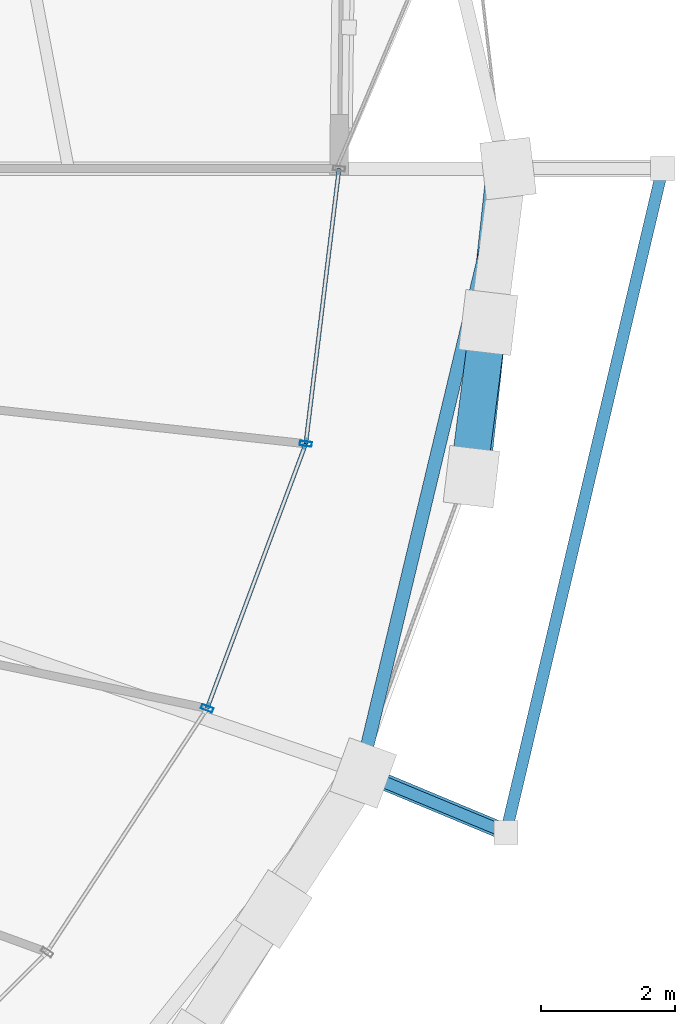
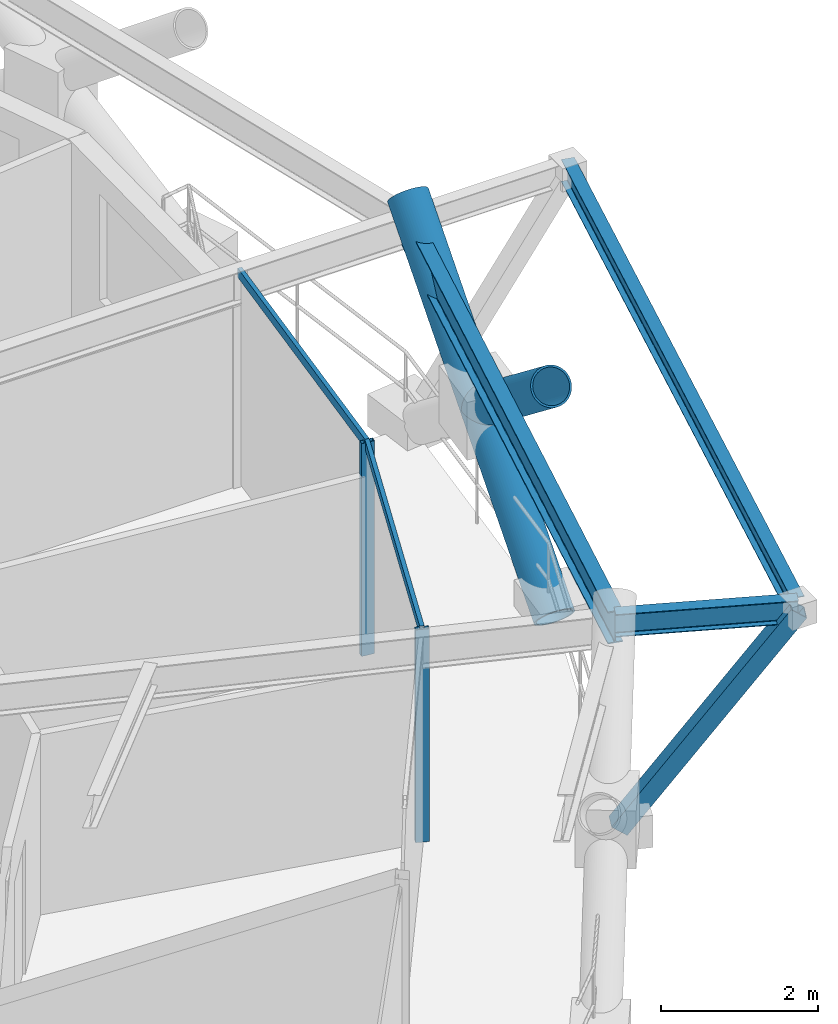
# One storey, part 10 of 22: 7 members, 3 beams, 1 element without a shape of its own.
"""IFC4 building model written with IfcOpenShell, lengths in metres."""

from ifc_helpers import new_model, si_unit, direction, frame, origin, origin_2d, place, context, subcontext, project, spatial, hollow_rectangle, hollow_circle, i_section, extrude, material, layer, layer_set, material_profile, profile_set, type_object, element, aggregate, save


model = new_model("IFC4")

# Units and contexts
model_context = context("Model", 3, precision=1e-05, world=origin(), true_north=direction((0.0, 1.0)))
body_context = subcontext(model_context, "Body", "Model", "MODEL_VIEW")
ifc_project = project(units=[si_unit("LENGTHUNIT", "METRE"), si_unit("AREAUNIT", "SQUARE_METRE"), si_unit("VOLUMEUNIT", "CUBIC_METRE"), si_unit("PLANEANGLEUNIT", "RADIAN"), si_unit("MASSUNIT", "GRAM", prefix="KILO")], contexts=[model_context])

# Site, building, storey
site_placement = place(None, origin())
site = spatial("IfcSite", under=ifc_project, at=site_placement, CompositionType="ELEMENT")
building_placement = place(site_placement, origin())
building = spatial("IfcBuilding", under=site, at=building_placement, Name="Veldorina Hangang Commons", CompositionType="ELEMENT")
storey_placement = place(building_placement, frame((0.0, 0.0, 146.0)))
storey = spatial("IfcBuildingStorey", under=building, at=storey_placement, Name="L37", CompositionType="ELEMENT", Elevation=146.0)

# Beams
ifc_material_1 = material(Name="Steel SM355-TMC", Category="steel")
ifc_material_profile_1 = material_profile(ifc_material_1, i_section(OverallWidth=0.175048828125, OverallDepth=0.35009765625, WebThickness=0.007080078125, FlangeThickness=0.010986328125, FilletRadius=0.012939453125, at=origin_2d()), Name="H-350x175x7x11")
ifc_profile_set_1 = profile_set([ifc_material_profile_1], Name="Steel SM355-TMC")
beam_type_1 = type_object("IfcBeamType", Name="BM-FG350", PredefinedType="BEAM", material=ifc_profile_set_1)
beam_1_placement = place(storey_placement, frame((58.169677734375, 14.99609375, 3.175048828125), z_axis=(0.923901614008, -0.382630118564, 0.0), x_axis=(0.382630118564, 0.923901614008, 0.0)))
element("IfcBeam", 1, at=beam_1_placement, inside=storey, type_object=beam_type_1, Name="L38 tree balcony 2 bracket beam A", PredefinedType="BEAM", context=body_context, shape_type="SweptSolid", body=[
    extrude(i_section(OverallWidth=0.175048828125, OverallDepth=0.35009765625, WebThickness=0.007080078125, FlangeThickness=0.010986328125, FilletRadius=0.012939453125, at=origin_2d()), origin(), (0.0, 0.0, 1.0), 2.349853515625),
])
beam_2_placement = place(storey_placement, frame((60.3408203125, 14.096923828125, 3.175048828125), z_axis=(0.229488685522, 0.97331132903, 0.0), x_axis=(-0.97331132903, 0.229488685522, 0.0)))
element("IfcBeam", 2, at=beam_2_placement, inside=storey, type_object=beam_type_1, Name="L38 tree balcony 2 outer rim beam", PredefinedType="BEAM", context=body_context, shape_type="SweptSolid", body=[
    extrude(i_section(OverallWidth=0.175048828125, OverallDepth=0.35009765625, WebThickness=0.007080078125, FlangeThickness=0.010986328125, FilletRadius=0.012939453125, at=origin_2d()), origin(), (0.0, 0.0, 1.0), 10.174560546875),
])
ifc_material_2 = material(Name="Steel SM420-TMC", Category="steel")
ifc_material_profile_2 = material_profile(ifc_material_2, i_section(OverallWidth=0.199951171875, OverallDepth=0.5, WebThickness=0.010009765625, FlangeThickness=0.01611328125, FilletRadius=0.01611328125, at=origin_2d()), Name="H-500x200x10x16")
ifc_profile_set_2 = profile_set([ifc_material_profile_2], Name="Steel SM420-TMC")
beam_type_2 = type_object("IfcBeamType", Name="BM-RB500", PredefinedType="BEAM", material=ifc_profile_set_2)
beam_3_placement = place(storey_placement, frame((58.17529296875, 14.994384765625, 3.10009765625), z_axis=(0.232902276415, 0.972500143774, 0.0), x_axis=(-0.972500143774, 0.232902276415, 0.0)))
element("IfcBeam", 3, at=beam_3_placement, inside=storey, type_object=beam_type_2, Name="L37 perimeter hoop ring beam 30", PredefinedType="BEAM", context=body_context, shape_type="SweptSolid", body=[
    extrude(i_section(OverallWidth=0.199951171875, OverallDepth=0.5, WebThickness=0.010009765625, FlangeThickness=0.01611328125, FilletRadius=0.01611328125, at=origin_2d()), origin(), (0.0, 0.0, 1.0), 9.26025390625),
])

# Curtain wall, members
ifc_material_3 = material(Name="Glass Low-E Triple IGU", Category="glass")
ifc_layer = layer(ifc_material_3, 0.179931640625)
ifc_layer_set = layer_set([ifc_layer], Name="Glass Low-E Triple IGU")
curtain_wall_type = type_object("IfcCurtainWallType", Name="CW-SYS-Z2", PredefinedType="NOTDEFINED", material=ifc_layer_set)
curtain_wall_placement = place(storey_placement, origin())
curtain_wall = element("IfcCurtainWall", 4, at=curtain_wall_placement, inside=storey, type_object=curtain_wall_type, Name="L37 unitised curtain wall CW-L37-R2", PredefinedType="NOTDEFINED")
ifc_material_4 = material(Name="Aluminium Anodized AA6063-T6", Category="aluminium")
ifc_material_profile_3 = material_profile(ifc_material_4, hollow_rectangle(XDim=0.070068359375, YDim=0.179931640625, WallThickness=0.00390625, at=origin_2d()), Name="ALU-RHS-180x70x4")
ifc_profile_set_3 = profile_set([ifc_material_profile_3], Name="Aluminium Anodized AA6063-T6")
member_type_1 = type_object("IfcMemberType", Name="CW-MUL-180", PredefinedType="MULLION", material=ifc_profile_set_3)
member_1_placement = place(storey_placement, frame((55.8828125, 15.948486328125, 0.0), z_axis=(0.0, 0.0, 1.0), x_axis=(0.349259017191, 0.937026221037, 0.0)))
member_1 = element("IfcMember", 5, at=member_1_placement, type_object=member_type_1, Name="CW-L37-R2 vertical mullion 4", PredefinedType="MULLION", context=body_context, shape_type="SweptSolid", body=[
    extrude(hollow_rectangle(XDim=0.070068359375, YDim=0.179931640625, WallThickness=0.00390625, at=origin_2d()), origin(), (0.0, 0.0, 1.0), 3.31005859375),
])
member_2_placement = place(storey_placement, frame((57.353759765625, 19.8955078125, 0.0), z_axis=(0.0, 0.0, 1.0), x_axis=(0.120136838835, 0.992757341929, 0.0)))
member_2 = element("IfcMember", 6, at=member_2_placement, type_object=member_type_1, Name="CW-L37-R2 vertical mullion 5", PredefinedType="MULLION", context=body_context, shape_type="SweptSolid", body=[
    extrude(hollow_rectangle(XDim=0.070068359375, YDim=0.179931640625, WallThickness=0.00390625, at=origin_2d()), origin(), (0.0, 0.0, 1.0), 3.31005859375),
])
ifc_material_profile_4 = material_profile(ifc_material_4, hollow_rectangle(XDim=0.06005859375, YDim=0.139892578125, WallThickness=0.00341796875, at=origin_2d()), Name="ALU-RHS-140x60x3.5")
ifc_profile_set_4 = profile_set([ifc_material_profile_4], Name="Aluminium Anodized AA6063-T6")
member_type_2 = type_object("IfcMemberType", Name="CW-TRN-140", PredefinedType="USERDEFINED", material=ifc_profile_set_4)
member_3_placement = place(storey_placement, frame((55.8828125, 15.948486328125, 3.27001953125), z_axis=(0.349210813647, 0.937044186595, 0.0), x_axis=(-0.937044186595, 0.349210813647, 0.0)))
member_3 = element("IfcMember", 7, at=member_3_placement, type_object=member_type_2, Name="CW-L37-R2 facet 4 transom 1", ObjectType="TRANSOM", PredefinedType="USERDEFINED", context=body_context, shape_type="SweptSolid", body=[
    extrude(hollow_rectangle(XDim=0.06005859375, YDim=0.139892578125, WallThickness=0.00341796875, at=origin_2d()), origin(), (0.0, 0.0, 1.0), 4.212158203125),
])
member_4_placement = place(storey_placement, frame((57.353759765625, 19.8955078125, 3.27001953125), z_axis=(0.120167361016, 0.992753647864, 0.0), x_axis=(-0.992753647864, 0.120167361016, 0.0)))
member_4 = element("IfcMember", 8, at=member_4_placement, type_object=member_type_2, Name="CW-L37-R2 facet 5 transom 1", ObjectType="TRANSOM", PredefinedType="USERDEFINED", context=body_context, shape_type="SweptSolid", body=[
    extrude(hollow_rectangle(XDim=0.06005859375, YDim=0.139892578125, WallThickness=0.00341796875, at=origin_2d()), origin(), (0.0, 0.0, 1.0), 4.134521484375),
])
aggregate(curtain_wall, [member_1, member_2, member_3, member_4])

# Members
ifc_material_profile_5 = material_profile(ifc_material_2, hollow_circle(Radius=0.27490234375, WallThickness=0.028076171875, at=origin_2d()), Name="CHS-550x28")
ifc_profile_set_5 = profile_set([ifc_material_profile_5], Name="Steel SM420-TMC")
member_type_3 = type_object("IfcMemberType", Name="DG-CHS550", PredefinedType="BRACE", material=ifc_profile_set_5)
member_5_placement = place(storey_placement, frame((59.825439453125, 19.40380859375, 0.0), z_axis=(0.085370465333, 0.784375002617, 0.614384032115), x_axis=(-0.994129161274, 0.108199864626, 0.0)))
element("IfcMember", 9, at=member_5_placement, inside=storey, type_object=member_type_3, Name="L37 continuous perimeter diagrid brace 31", PredefinedType="BRACE", context=body_context, shape_type="SweptSolid", body=[
    extrude(hollow_circle(Radius=0.27490234375, WallThickness=0.028076171875, at=origin_2d()), origin(), (0.0, 0.0, 1.0), 5.859619140625),
])
member_6_placement = place(storey_placement, frame((60.07568359375, 21.703369140625, 1.80126953125), z_axis=(-0.100421309516, -0.782869528294, 0.614028388809), x_axis=(0.991873125435, -0.127230904423, 0.0)))
element("IfcMember", 10, at=member_6_placement, inside=storey, type_object=member_type_3, Name="L37 split perimeter diagrid upper brace 00", PredefinedType="BRACE", context=body_context, shape_type="SweptSolid", body=[
    extrude(hollow_circle(Radius=0.27490234375, WallThickness=0.028076171875, at=origin_2d()), origin(), (0.0, 0.0, 1.0), 2.929443359375),
])
ifc_material_profile_6 = material_profile(ifc_material_1, hollow_rectangle(XDim=0.25, YDim=0.25, WallThickness=0.011962890625, at=origin_2d()), Name="SHS-250x250x12")
ifc_profile_set_6 = profile_set([ifc_material_profile_6], Name="Steel SM355-TMC")
member_type_4 = type_object("IfcMemberType", Name="STR-SHS250", PredefinedType="STRUT", material=ifc_profile_set_6)
member_7_placement = place(storey_placement, frame((58.2109375, 14.984130859375, 0.0), z_axis=(0.542665607198, -0.226048465905, 0.808959906192), x_axis=(0.384525222408, 0.923114485496, 0.0)))
element("IfcMember", 11, at=member_7_placement, inside=storey, type_object=member_type_4, Name="L38 tree balcony 2 raking knee strut A", PredefinedType="STRUT", context=body_context, shape_type="SweptSolid", body=[
    extrude(hollow_rectangle(XDim=0.25, YDim=0.25, WallThickness=0.011962890625, at=origin_2d()), origin(), (0.0, 0.0, 1.0), 3.9248046875),
])

save(model, "model.ifc")
